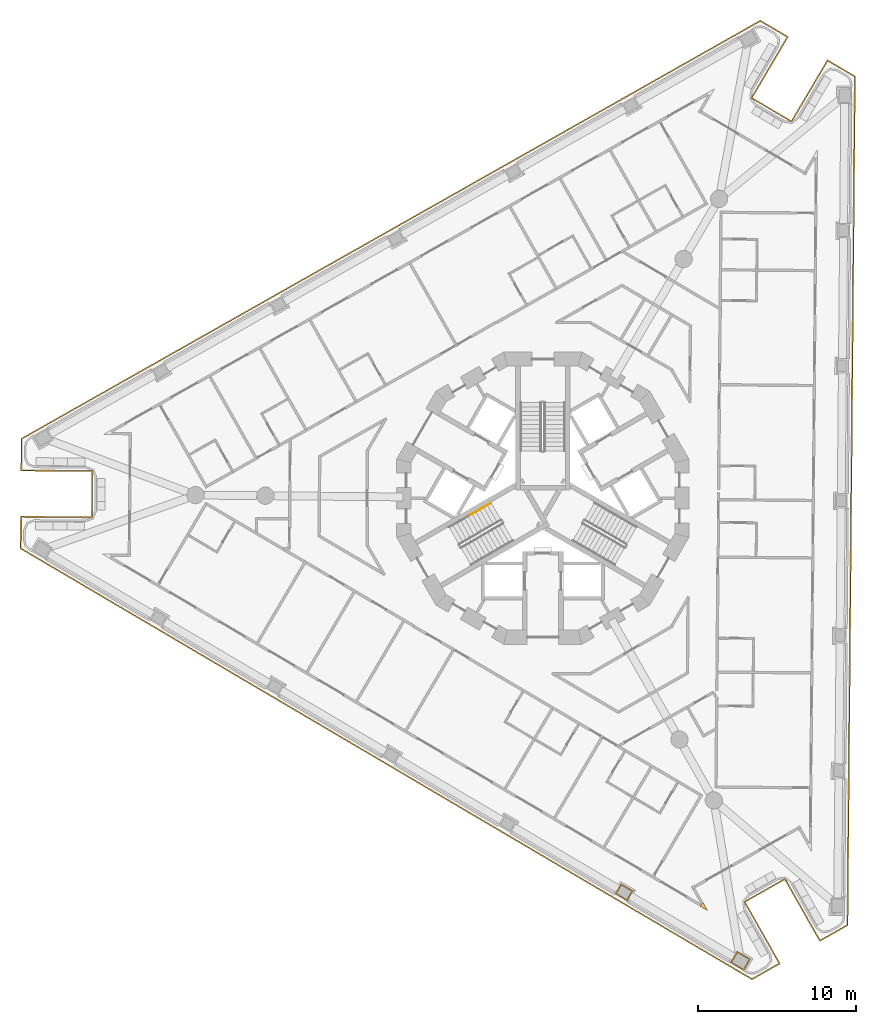
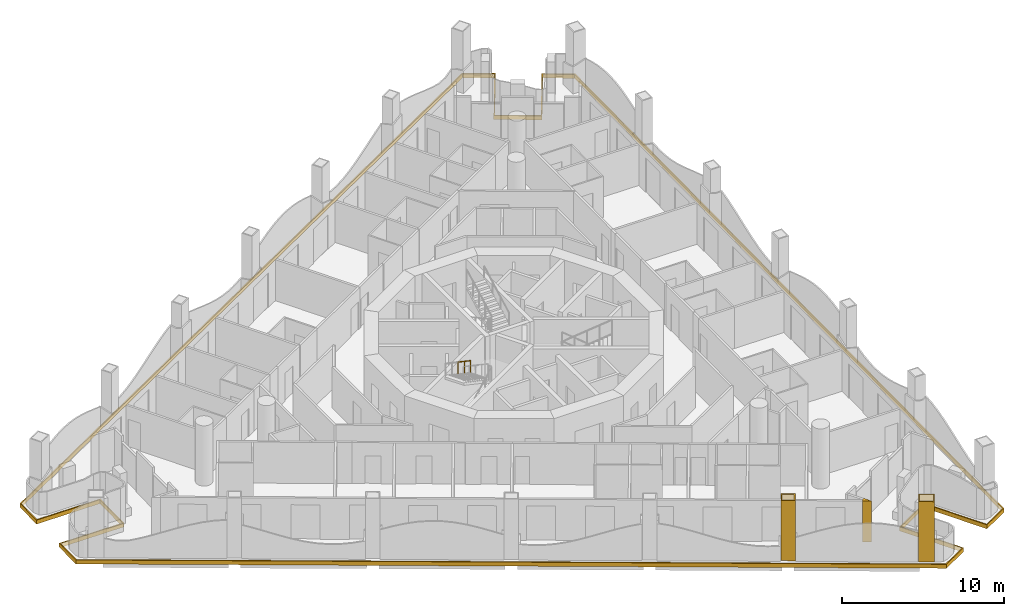
# One storey, part 13 of 17: 4 coverings, 1 railing.
"""IFC4 building model written with IfcOpenShell, lengths in metres."""

from ifc_helpers import new_model, si_unit, direction, frame, origin, origin_2d, place, context, subcontext, project, spatial, polyline, circle, outline, extrude, material, layer, layer_set, type_object, element, save


model = new_model("IFC4")

# Units and contexts
model_context = context("Model", 3, precision=1e-05, world=origin(), true_north=direction((0.0, 1.0)))
body_context = subcontext(model_context, "Body", "Model", "MODEL_VIEW")
ifc_project = project(units=[si_unit("LENGTHUNIT", "METRE"), si_unit("AREAUNIT", "SQUARE_METRE"), si_unit("VOLUMEUNIT", "CUBIC_METRE"), si_unit("PLANEANGLEUNIT", "RADIAN"), si_unit("MASSUNIT", "GRAM", prefix="KILO")], contexts=[model_context])

# Site, building, storey
site_placement = place(None, origin())
site = spatial("IfcSite", under=ifc_project, at=site_placement, CompositionType="ELEMENT")
building_placement = place(site_placement, origin())
building = spatial("IfcBuilding", under=site, at=building_placement, Name="Trine Commons Tower", CompositionType="ELEMENT")
storey_placement = place(building_placement, frame((0.0, 0.0, 189.89990234375)))
storey = spatial("IfcBuildingStorey", under=building, at=storey_placement, Name="L49", CompositionType="ELEMENT", Elevation=189.89990234375)

# Coverings
ifc_material_1 = material(Name="Aluminium-framed insulated wall panel", Category="aluminium")
ifc_layer_1 = layer(ifc_material_1, 0.14990234375)
ifc_layer_set_1 = layer_set([ifc_layer_1], Name="Aluminium-framed insulated wall panel")
covering_type_1 = type_object("IfcCoveringType", Name="Glazing corner post, aluminium", PredefinedType="CLADDING", material=ifc_layer_set_1)
covering_1_placement = place(storey_placement, origin())
element("IfcCovering", 1, at=covering_1_placement, inside=storey, type_object=covering_type_1, Name="Glazing corner post 5-12", PredefinedType="CLADDING", context=body_context, shape_type="SweptSolid", body=[
    extrude(outline(polyline([(89.97265625, 36.6083984375), (90.455078125, 36.32421875), (90.179443359375, 36.811279296875), (90.048828125, 36.737548828125), (89.97265625, 36.6083984375)])), origin(), (0.0, 0.0, 1.0), 3.10009765625),
])
ifc_material_2 = material(Name="Limestone, honed", Category="masonry")
ifc_layer_2 = layer(ifc_material_2, 0.074951171875)
ifc_layer_set_2 = layer_set([ifc_layer_2], Name="Limestone, honed")
covering_type_2 = type_object("IfcCoveringType", Name="Limestone column cladding 75", PredefinedType="CLADDING", material=ifc_layer_set_2)
covering_2_placement = place(storey_placement, origin())
element("IfcCovering", 2, at=covering_2_placement, inside=storey, type_object=covering_type_2, Name="Limestone pier cladding 5-01", PredefinedType="CLADDING", context=body_context, shape_type="SweptSolid", body=[
    extrude(outline(polyline([(92.327392578125, 33.753173828125), (91.89599609375, 33.020751953125), (92.757568359375, 32.51318359375), (93.18896484375, 33.24560546875), (92.327392578125, 33.753173828125)]), holes=[polyline([(92.35400390625, 33.650390625), (91.998779296875, 33.047119140625), (92.731201171875, 32.61572265625), (93.086181640625, 33.218994140625), (92.35400390625, 33.650390625)])]), origin(), (0.0, 0.0, 1.0), 4.54931640625),
])
covering_3_placement = place(storey_placement, origin())
element("IfcCovering", 3, at=covering_3_placement, inside=storey, type_object=covering_type_2, Name="Limestone pier cladding 5-02", PredefinedType="CLADDING", context=body_context, shape_type="SweptSolid", body=[
    extrude(outline(polyline([(84.96044921875, 38.03466796875), (84.57958984375, 37.388427734375), (85.355224609375, 36.931640625), (85.73583984375, 37.577880859375), (84.96044921875, 38.03466796875)]), holes=[polyline([(84.987060546875, 37.931884765625), (84.682373046875, 37.414794921875), (85.32861328125, 37.0341796875), (85.63330078125, 37.55126953125), (84.987060546875, 37.931884765625)])]), origin(), (0.0, 0.0, 1.0), 4.54931640625),
])
ifc_layer_3 = layer(ifc_material_2, 0.074951171875)
ifc_layer_set_3 = layer_set([ifc_layer_3], Name="Limestone, honed")
covering_type_3 = type_object("IfcCoveringType", Name="Limestone spandrel panel 75", PredefinedType="CLADDING", material=ifc_layer_set_3)
covering_4_placement = place(storey_placement, frame((0.0, 0.0, -0.2998046875)))
element("IfcCovering", 4, at=covering_4_placement, inside=storey, type_object=covering_type_3, Name="Limestone spandrel panel 5-01", PredefinedType="CLADDING", context=body_context, shape_type="SweptSolid", body=[
    extrude(outline(polyline([(95.34814453125, 38.26611328125), (97.564208984375, 34.349365234375), (99.376708984375, 35.374755859375), (99.846923828125, 89.282958984375), (98.052734375, 90.33984375), (95.768798828125, 86.46240234375), (93.313232421875, 87.908935546875), (95.59716796875, 91.786376953125), (93.802734375, 92.84326171875), (46.8818359375, 66.296630859375), (46.863525390625, 64.214111328125), (51.363525390625, 64.175048828125), (51.338623046875, 61.3251953125), (46.8388671875, 61.3642578125), (46.820556640625, 59.281982421875), (93.271240234375, 31.92041015625), (95.08349609375, 32.94580078125), (92.86767578125, 36.862548828125), (95.34814453125, 38.26611328125)]), holes=[polyline([(98.079345703125, 90.237060546875), (99.771484375, 89.240234375), (99.302001953125, 35.418701171875), (97.592529296875, 34.45166015625), (95.376708984375, 38.3681640625), (92.765380859375, 36.890869140625), (94.9814453125, 32.974365234375), (93.27197265625, 32.007080078125), (46.89599609375, 59.32470703125), (46.9130859375, 61.288818359375), (51.412841796875, 61.24951171875), (51.439208984375, 64.249267578125), (46.939208984375, 64.28857421875), (46.956298828125, 66.252685546875), (93.802001953125, 92.756591796875), (95.494384765625, 91.759765625), (93.21044921875, 87.88232421875), (95.79541015625, 86.35986328125), (98.079345703125, 90.237060546875)])]), origin(), (0.0, 0.0, 1.0), 0.2998046875),
])

# Railing
ifc_material_3 = material(Name="Stainless steel handrail", Category="steel")
railing_type = type_object("IfcRailingType", Name="Stair handrail, steel 900", PredefinedType="HANDRAIL", material=ifc_material_3)
railing_placement = place(storey_placement, frame((76.72265625, 62.195556640625, 1.9501953125)))
element("IfcRailing", 5, at=railing_placement, inside=storey, type_object=railing_type, Name="L49 ST2B stair handrail 3", PredefinedType="HANDRAIL", context=body_context, shape_type="SweptSolid", body=[
    extrude(circle(Radius=0.02099609375, at=origin_2d()), frame((0.0, 0.0, 0.87890625), z_axis=(-0.76340495495, -0.440743040072, 0.472184759798), x_axis=(0.499992328818, -0.866029832698, 0.0)), (0.0, 0.0, 1.0), 1.7470703125),
    extrude(circle(Radius=0.01513671875, at=origin_2d()), origin(), (0.0, 0.0, 1.0), 0.85791015625),
    extrude(circle(Radius=0.01513671875, at=origin_2d()), frame((-0.6669921875, -0.385009765625, 0.41259765625)), (0.0, 0.0, 1.0), 0.85791015625),
    extrude(circle(Radius=0.01513671875, at=origin_2d()), frame((-1.333740234375, -0.77001953125, 0.824951171875)), (0.0, 0.0, 1.0), 0.85791015625),
])

save(model, "model.ifc")
